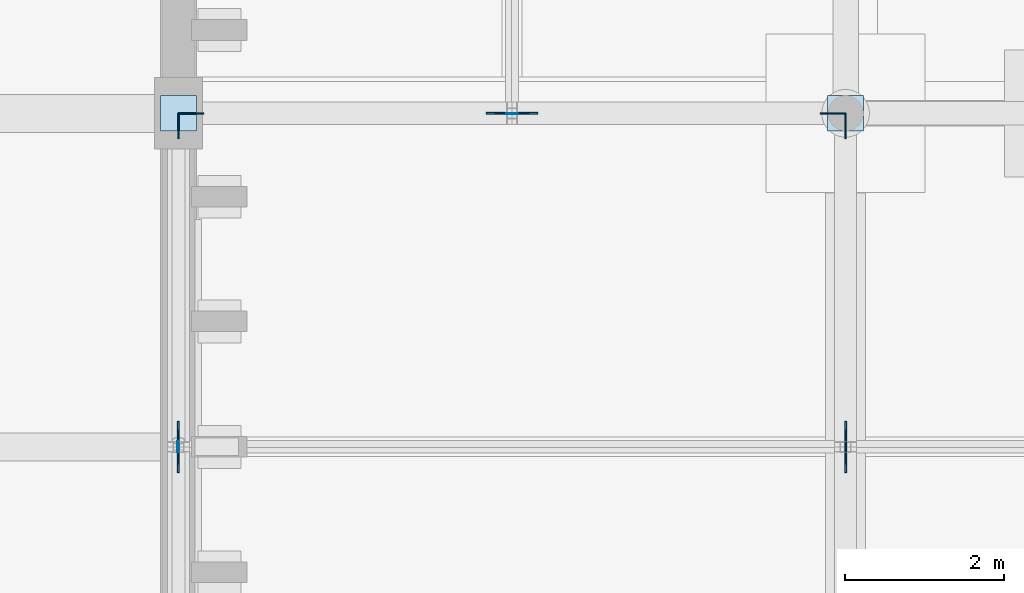
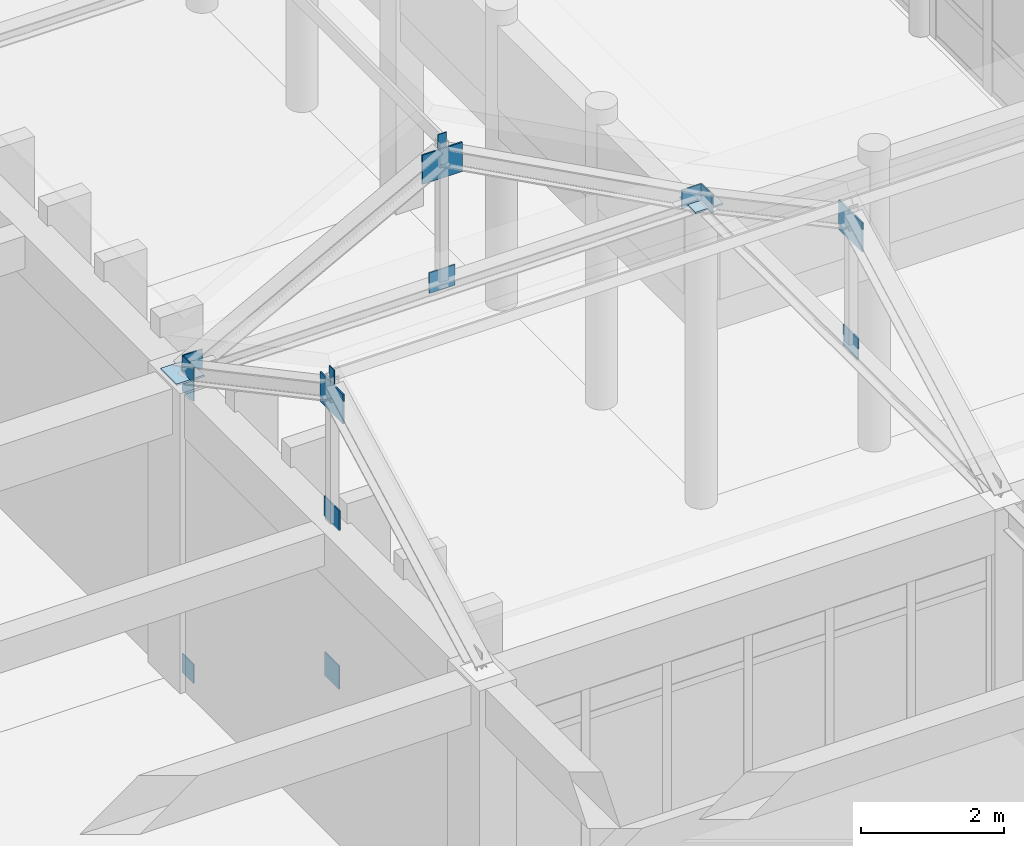
# One storey, part 84 of 143: 17 plates.
"""IFC4 building model written with IfcOpenShell, lengths in metres."""

import ifcopenshell
import ifcopenshell.guid

model = None  # the IFC model being written
_history = None  # IfcOwnerHistory: only IFC2X3 demands one
_inside = {}  # id of a spatial element -> (the spatial element, [elements in it])
_under = {}  # id of a project, library or spatial element -> (it, [spatial elements below it])
_declared = {}  # id of a project -> (the project, [libraries it declares])
_typed = {}  # id of a type object -> (the type object, [elements of that type])
_made_of = {}  # id of a material, layer set ... -> (it, [elements and type objects made of it])


def new_model(schema):
    """Start an empty IFC model of exactly this schema.

    Asked for "IFC4X3", IfcOpenShell would pick the latest addendum, in which some entities
    have other attributes; the version numbers below select the first issue.
    IFC2X3 requires an IfcOwnerHistory on every rooted entity: one is made here for all.
    """
    global model, _history
    if schema == "IFC4X3":
        model = ifcopenshell.file(schema_version=(4, 3, 0, 0))
    else:
        model = ifcopenshell.file(schema=schema)
    _inside.clear()
    _under.clear()
    _declared.clear()
    _typed.clear()
    _made_of.clear()
    _history = None
    if model.schema == "IFC2X3":
        org = make("IfcOrganization", Name="unknown")
        user = make(
            "IfcPersonAndOrganization",
            ThePerson=make("IfcPerson", FamilyName="unknown"),
            TheOrganization=org,
        )
        app = make(
            "IfcApplication",
            ApplicationDeveloper=org,
            Version="unknown",
            ApplicationFullName="unknown",
            ApplicationIdentifier="unknown",
        )
        _history = make(
            "IfcOwnerHistory",
            OwningUser=user,
            OwningApplication=app,
            ChangeAction="ADDED",
            CreationDate=0,
        )
    return model


def make(cls, **values):
    """One entity of the class cls with the attributes given. An attribute that is None is left unset."""
    return model.create_entity(
        cls, **{name: value for name, value in values.items() if value is not None}
    )


def rooted(cls, **values):
    """An entity with a GlobalId (a new one), such as an element, a storey or a relation."""
    return make(cls, GlobalId=ifcopenshell.guid.new(), OwnerHistory=_history, **values)


def si_unit(unit_type, name, prefix=None):
    """IfcSIUnit, for example si_unit("LENGTHUNIT", "METRE", prefix="MILLI")."""
    return make("IfcSIUnit", UnitType=unit_type, Prefix=prefix, Name=name)


def assignment(units):
    """IfcUnitAssignment: the units of a project."""
    return None if units is None else make("IfcUnitAssignment", Units=units)


def point(xyz):
    """IfcCartesianPoint."""
    return None if xyz is None else make("IfcCartesianPoint", Coordinates=xyz)


def direction(xyz):
    """IfcDirection."""
    return None if xyz is None else make("IfcDirection", DirectionRatios=xyz)


def frame(location, z_axis=None, x_axis=None):
    """IfcAxis2Placement3D, a coordinate frame: its origin and axes. An axis left out is left unset."""
    return make(
        "IfcAxis2Placement3D",
        Location=point(location),
        Axis=direction(z_axis),
        RefDirection=direction(x_axis),
    )


def frame_2d(location, x_axis=None):
    """IfcAxis2Placement2D, a coordinate frame in the plane: its origin and x axis."""
    return make(
        "IfcAxis2Placement2D", Location=point(location), RefDirection=direction(x_axis)
    )


def origin():
    """The frame at (0, 0, 0) with its axes left unset."""
    return frame((0.0, 0.0, 0.0))


def origin_2d():
    """The frame at (0, 0) in the plane with its x axis left unset."""
    return frame_2d((0.0, 0.0))


def place(relative_to, where):
    """IfcLocalPlacement: puts the frame where relative to a parent placement (None: the world)."""
    return make(
        "IfcLocalPlacement", PlacementRelTo=relative_to, RelativePlacement=where
    )


def context(
    kind, dimensions, precision=None, world=None, true_north=None, identifier=None
):
    """IfcGeometricRepresentationContext, for example the 3D "Model" context."""
    return make(
        "IfcGeometricRepresentationContext",
        ContextIdentifier=identifier,
        ContextType=kind,
        CoordinateSpaceDimension=dimensions,
        Precision=precision,
        WorldCoordinateSystem=world,
        TrueNorth=true_north,
    )


def subcontext(parent, identifier, kind, view, scale=None):
    """IfcGeometricRepresentationSubContext, for example "Body" below "Model"."""
    return make(
        "IfcGeometricRepresentationSubContext",
        ContextIdentifier=identifier,
        ContextType=kind,
        ParentContext=parent,
        TargetScale=scale,
        TargetView=view,
    )


def project(units=None, contexts=None):
    """IfcProject with its units and contexts."""
    return rooted(
        "IfcProject",
        Name="project",
        RepresentationContexts=contexts,
        UnitsInContext=assignment(units),
    )


def spatial(cls, under=None, at=None, **own):
    """A site, building, storey or space (cls), placed at a placement, below another one or the project."""
    s = rooted(cls, ObjectPlacement=at, **own)
    if under is not None:
        _under.setdefault(under.id(), (under, []))[1].append(s)
    return s


def profile(cls, at=None, kind="AREA", **sizes):
    """A parametric profile (cls). Its sizes go by their IFC names, for example OverallWidth=200.0."""
    return make(cls, ProfileType=kind, Position=at, **sizes)


def rectangle(**sizes):
    """IfcRectangleProfileDef."""
    return profile("IfcRectangleProfileDef", **sizes)


def extrude(swept, where, along, depth):
    """IfcExtrudedAreaSolid: the profile swept, set in the frame where, extruded along a direction by depth."""
    return make(
        "IfcExtrudedAreaSolid",
        SweptArea=swept,
        Position=where,
        ExtrudedDirection=direction(along),
        Depth=depth,
    )


def shape(context_of_items, identifier, shape_type, items):
    """IfcShapeRepresentation: the items that make up one representation, for example the "Body"."""
    return make(
        "IfcShapeRepresentation",
        ContextOfItems=context_of_items,
        RepresentationIdentifier=identifier,
        RepresentationType=shape_type,
        Items=items,
    )


def material(Name=None, Category=None):
    """IfcMaterial."""
    return make("IfcMaterial", Name=Name, Category=Category)


def layer(
    of_material, thickness, ventilated=None, Name=None, Category=None, Priority=None
):
    """IfcMaterialLayer: one layer of a wall or slab, of a material (None: an air gap)."""
    return make(
        "IfcMaterialLayer",
        Material=of_material,
        LayerThickness=thickness,
        IsVentilated=ventilated,
        Name=Name,
        Category=Category,
        Priority=Priority,
    )


def layer_set(layers, Name=None):
    """IfcMaterialLayerSet."""
    return make("IfcMaterialLayerSet", MaterialLayers=layers, LayerSetName=Name)


def made_of(thing, what):
    """Note that an element or type object is made of a material, layer set ...; save() writes the relation."""
    if what is not None:
        _made_of.setdefault(what.id(), (what, []))[1].append(thing)
    return thing


def type_object(cls, material=None, **own):
    """A type object (cls), such as IfcWallType, which elements share."""
    return made_of(rooted(cls, **own), material)


def element(
    cls,
    number,
    at=None,
    inside=None,
    cuts=None,
    type_object=None,
    material=None,
    context=None,
    identifier="Body",
    shape_type=None,
    held_by="IfcProductDefinitionShape",
    body=None,
    shapes=None,
    **own,
):
    """One element of the class cls, such as IfcWall. Its Tag is "e" and its number.

    at: its placement. inside: the storey or other place that contains it. cuts: it is an
    opening in that element (IfcRelVoidsElement). A single representation is given by context,
    identifier, shape_type and body (its items); several are given by shapes. held_by: the class
    of the entity that holds the representations. save() writes the other relations.
    """
    e = rooted(cls, Tag="e%d" % number, ObjectPlacement=at, **own)
    if body is not None:
        shapes = [shape(context, identifier, shape_type, body)]
    if shapes is not None:
        e.Representation = make(held_by, Representations=shapes)
    if inside is not None:
        _inside.setdefault(inside.id(), (inside, []))[1].append(e)
    if cuts is not None:
        rooted(
            "IfcRelVoidsElement", RelatingBuildingElement=cuts, RelatedOpeningElement=e
        )
    if type_object is not None:
        _typed.setdefault(type_object.id(), (type_object, []))[1].append(e)
    return made_of(e, material)


def aggregate(whole, parts):
    """IfcRelAggregates: a whole, such as a stair, and the parts it consists of."""
    return rooted("IfcRelAggregates", RelatingObject=whole, RelatedObjects=parts)


def save(model, path):
    """Write the relations noted so far, then the file.

    IfcRelAggregates (storeys below a building ...), IfcRelContainedInSpatialStructure (elements
    in a storey), IfcRelDefinesByType, IfcRelAssociatesMaterial and IfcRelDeclares: one each for
    every whole, place, type object, material and project.
    """
    for whole, parts in _under.values():
        aggregate(whole, parts)
    for where, things in _inside.values():
        rooted(
            "IfcRelContainedInSpatialStructure",
            RelatedElements=things,
            RelatingStructure=where,
        )
    for kind, things in _typed.values():
        rooted("IfcRelDefinesByType", RelatedObjects=things, RelatingType=kind)
    for what, things in _made_of.values():
        rooted("IfcRelAssociatesMaterial", RelatedObjects=things, RelatingMaterial=what)
    for by, libraries in _declared.values():
        rooted("IfcRelDeclares", RelatingContext=by, RelatedDefinitions=libraries)
    model.write(path)


model = new_model("IFC4")

# Units and contexts
model_context = context("Model", 3, precision=1e-05, world=origin(), true_north=direction((0.0, 1.0)))
body_context = subcontext(model_context, "Body", "Model", "MODEL_VIEW")
ifc_project = project(units=[si_unit("LENGTHUNIT", "METRE"), si_unit("AREAUNIT", "SQUARE_METRE"), si_unit("VOLUMEUNIT", "CUBIC_METRE"), si_unit("PLANEANGLEUNIT", "RADIAN"), si_unit("MASSUNIT", "GRAM", prefix="KILO")], contexts=[model_context])

# Site, building, storey
site_placement = place(None, origin())
site = spatial("IfcSite", under=ifc_project, at=site_placement, CompositionType="ELEMENT")
building_placement = place(site_placement, origin())
building = spatial("IfcBuilding", under=site, at=building_placement, Name="Kveldsbrygga Polytechnic", CompositionType="ELEMENT")
storey_placement = place(building_placement, origin())
storey = spatial("IfcBuildingStorey", under=building, at=storey_placement, Name="L00", CompositionType="ELEMENT", Elevation=0.0)

# Plates
ifc_material = material(Name="Steel S355", Category="steel")
ifc_layer_1 = layer(ifc_material, 0.030029296875)
ifc_layer_set_1 = layer_set([ifc_layer_1], Name="Steel S355")
plate_type_1 = type_object("IfcPlateType", Name="CAP-BEAR-450", PredefinedType="SHEET", material=ifc_layer_set_1)
for number, where, z_axis, x_axis, name in (
    (1, (33.60009765625, 33.60009765625, 5.10986328125), (0.0, 0.0, 1.0), (1.0, 0.0, 0.0), "Truss Bearing Plate ARC-WS-T01-B"),
    (2, (42.0, 33.60009765625, 5.10986328125), (0.0, 0.0, 1.0), (1.0, 0.0, 0.0), "Truss Bearing Plate ARC-WS-T02-B"),
):
    element("IfcPlate", number, at=place(storey_placement, frame(where, z_axis=z_axis, x_axis=x_axis)), inside=storey, type_object=plate_type_1, Name=name, PredefinedType="SHEET", context=body_context, shape_type="SweptSolid", body=[
        extrude(rectangle(XDim=0.449951171875, YDim=0.449951171875, at=origin_2d()), origin(), (0.0, 0.0, 1.0), 0.030029296875),
    ])
ifc_layer_2 = layer(ifc_material, 0.011962890625)
ifc_layer_set_2 = layer_set([ifc_layer_2], Name="Steel S355")
plate_type_2 = type_object("IfcPlateType", Name="CAP-PRL-200", PredefinedType="SHEET", material=ifc_layer_set_2)
plate_1_placement = place(storey_placement, frame((33.593994140625, 29.39990234375, 7.513671875), z_axis=(0.0, 0.0, 1.0), x_axis=(1.0, 0.0, 0.0)))
element("IfcPlate", 3, at=plate_1_placement, inside=storey, type_object=plate_type_2, Name="Purlin End Cap Plate ARC-WS-EP-A-1", PredefinedType="SHEET", context=body_context, shape_type="SweptSolid", body=[
    extrude(rectangle(XDim=0.011962890625, YDim=0.139892578125, at=origin_2d()), origin(), (0.0, 0.0, 1.0), 0.239990234375),
])
plate_2_placement = place(storey_placement, frame((37.800048828125, 33.593994140625, 7.513671875), z_axis=(0.0, 0.0, 1.0), x_axis=(1.0, 0.0, 0.0)))
element("IfcPlate", 4, at=plate_2_placement, inside=storey, type_object=plate_type_2, Name="Purlin End Cap Plate ARC-WW-EP-A-1", PredefinedType="SHEET", context=body_context, shape_type="SweptSolid", body=[
    extrude(rectangle(XDim=0.139892578125, YDim=0.011962890625, at=origin_2d()), origin(), (0.0, 0.0, 1.0), 0.239990234375),
])
ifc_layer_3 = layer(ifc_material, 0.02490234375)
ifc_layer_set_3 = layer_set([ifc_layer_3], Name="Steel S355")
plate_type_3 = type_object("IfcPlateType", Name="GUS-APEX-650", PredefinedType="SHEET", material=ifc_layer_set_3)
for number, where, z_axis, x_axis, name in (
    (5, (33.60009765625, 29.39990234375, 6.989990234375), (0.0, 0.0, 1.0), (1.0, 0.0, 0.0), "Truss Gusset Plate ARC-WS-T01-GP-1"),
    (6, (42.0, 29.39990234375, 6.989990234375), (0.0, 0.0, 1.0), (1.0, 0.0, 0.0), "Truss Gusset Plate ARC-WS-T02-GP-1"),
):
    element("IfcPlate", number, at=place(storey_placement, frame(where, z_axis=z_axis, x_axis=x_axis)), inside=storey, type_object=plate_type_3, Name=name, PredefinedType="SHEET", context=body_context, shape_type="SweptSolid", body=[
        extrude(rectangle(XDim=0.02490234375, YDim=0.64990234375, at=origin_2d()), origin(), (0.0, 0.0, 1.0), 0.5),
    ])
plate_3_placement = place(storey_placement, frame((37.800048828125, 33.60009765625, 6.989990234375), z_axis=(0.0, 0.0, 1.0), x_axis=(1.0, 0.0, 0.0)))
element("IfcPlate", 7, at=plate_3_placement, inside=storey, type_object=plate_type_3, Name="Truss Gusset Plate ARC-WW-T01-GP-1", PredefinedType="SHEET", context=body_context, shape_type="SweptSolid", body=[
    extrude(rectangle(XDim=0.64990234375, YDim=0.02490234375, at=origin_2d()), origin(), (0.0, 0.0, 1.0), 0.5),
])
ifc_layer_4 = layer(ifc_material, 0.01806640625)
ifc_layer_set_4 = layer_set([ifc_layer_4], Name="Steel S355")
plate_type_4 = type_object("IfcPlateType", Name="GUS-BRACE-320", PredefinedType="SHEET", material=ifc_layer_set_4)
for number, where, z_axis, x_axis, name in (
    (8, (33.60009765625, 33.43994140625, 5.10009765625), (0.0, 0.0, 1.0), (1.0, 0.0, 0.0), "Truss Eaves Node Gusset ARC-WS-T01-EGP-B"),
    (9, (42.0, 33.43994140625, 5.10009765625), (0.0, 0.0, 1.0), (1.0, 0.0, 0.0), "Truss Eaves Node Gusset ARC-WS-T02-EGP-B"),
):
    element("IfcPlate", number, at=place(storey_placement, frame(where, z_axis=z_axis, x_axis=x_axis)), inside=storey, type_object=plate_type_4, Name=name, PredefinedType="SHEET", context=body_context, shape_type="SweptSolid", body=[
        extrude(rectangle(XDim=0.01806640625, YDim=0.320068359375, at=origin_2d()), origin(), (0.0, 0.0, 1.0), 0.320068359375),
    ])
for number, where, z_axis, x_axis, name in (
    (10, (33.760009765625, 33.60009765625, 5.10009765625), (0.0, 0.0, 1.0), (1.0, 0.0, 0.0), "Truss Eaves Node Gusset ARC-WW-T01-EGP-A"),
    (11, (41.840087890625, 33.60009765625, 5.10009765625), (0.0, 0.0, 1.0), (1.0, 0.0, 0.0), "Truss Eaves Node Gusset ARC-WW-T01-EGP-B"),
):
    element("IfcPlate", number, at=place(storey_placement, frame(where, z_axis=z_axis, x_axis=x_axis)), inside=storey, type_object=plate_type_4, Name=name, PredefinedType="SHEET", context=body_context, shape_type="SweptSolid", body=[
        extrude(rectangle(XDim=0.320068359375, YDim=0.01806640625, at=origin_2d()), origin(), (0.0, 0.0, 1.0), 0.320068359375),
    ])
for number, where, z_axis, x_axis, name in (
    (12, (33.60009765625, 33.43994140625, 4.81982421875), (0.0, 0.0, 1.0), (1.0, 0.0, 0.0), "Portal Brace End Gusset XGP-VBR-L00-E-3-2"),
    (13, (33.60009765625, 33.43994140625, 0.0), (0.0, 0.0, 1.0), (1.0, 0.0, 0.0), "Portal Brace End Gusset XGP-VBR-L00-E-3-3"),
):
    element("IfcPlate", number, at=place(storey_placement, frame(where, z_axis=z_axis, x_axis=x_axis)), inside=storey, type_object=plate_type_4, Name=name, PredefinedType="SHEET", context=body_context, shape_type="SweptSolid", body=[
        extrude(rectangle(XDim=0.01806640625, YDim=0.320068359375, at=origin_2d()), origin(), (0.0, 0.0, 1.0), 0.320068359375),
    ])
ifc_layer_5 = layer(ifc_material, 0.02001953125)
ifc_layer_set_5 = layer_set([ifc_layer_5], Name="Steel S355")
plate_type_5 = type_object("IfcPlateType", Name="GUS-LECT-420", PredefinedType="SHEET", material=ifc_layer_set_5)
for number, where, z_axis, x_axis, name in (
    (14, (33.60009765625, 29.39990234375, 5.0849609375), (0.0, 0.0, 1.0), (1.0, 0.0, 0.0), "Truss Bottom-Chord Node Gusset ARC-WS-T01-BGP-1"),
    (15, (42.0, 29.39990234375, 5.0849609375), (0.0, 0.0, 1.0), (1.0, 0.0, 0.0), "Truss Bottom-Chord Node Gusset ARC-WS-T02-BGP-1"),
):
    element("IfcPlate", number, at=place(storey_placement, frame(where, z_axis=z_axis, x_axis=x_axis)), inside=storey, type_object=plate_type_5, Name=name, PredefinedType="SHEET", context=body_context, shape_type="SweptSolid", body=[
        extrude(rectangle(XDim=0.02001953125, YDim=0.419921875, at=origin_2d()), origin(), (0.0, 0.0, 1.0), 0.35009765625),
    ])
plate_4_placement = place(storey_placement, frame((37.800048828125, 33.60009765625, 5.0849609375), z_axis=(0.0, 0.0, 1.0), x_axis=(1.0, 0.0, 0.0)))
element("IfcPlate", 16, at=plate_4_placement, inside=storey, type_object=plate_type_5, Name="Truss Bottom-Chord Node Gusset ARC-WW-T01-BGP-1", PredefinedType="SHEET", context=body_context, shape_type="SweptSolid", body=[
    extrude(rectangle(XDim=0.419921875, YDim=0.02001953125, at=origin_2d()), origin(), (0.0, 0.0, 1.0), 0.35009765625),
])
ifc_layer_6 = layer(ifc_material, 0.02001953125)
ifc_layer_set_6 = layer_set([ifc_layer_6], Name="Steel S355")
plate_type_6 = type_object("IfcPlateType", Name="GUS-XBRACE-400", PredefinedType="SHEET", material=ifc_layer_set_6)
plate_5_placement = place(storey_placement, frame((33.60009765625, 29.39990234375, 2.3701171875), z_axis=(0.0, 0.0, 1.0), x_axis=(1.0, 0.0, 0.0)))
element("IfcPlate", 17, at=plate_5_placement, inside=storey, type_object=plate_type_6, Name="Portal X-Brace Crossing Gusset XGP-VBR-L00-E-3-C", PredefinedType="SHEET", context=body_context, shape_type="SweptSolid", body=[
    extrude(rectangle(XDim=0.02001953125, YDim=0.39990234375, at=origin_2d()), origin(), (0.0, 0.0, 1.0), 0.39990234375),
])

save(model, "model.ifc")
